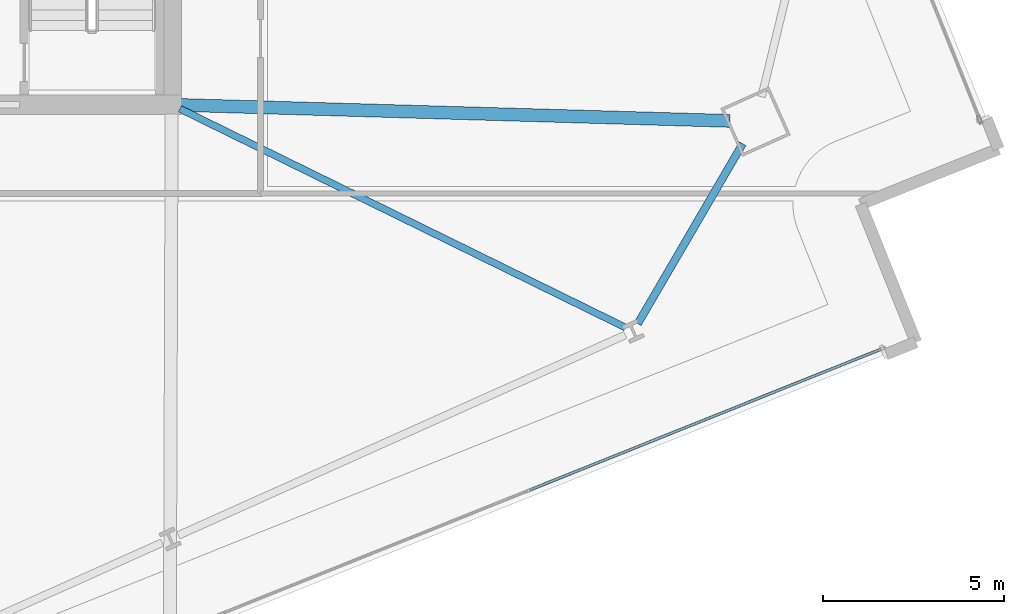
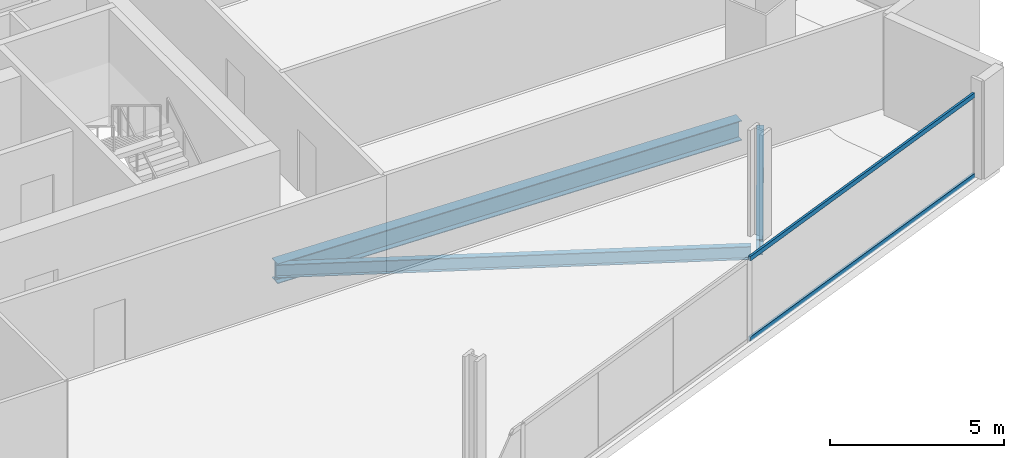
# One storey, part 10 of 33: 3 beams, 2 members, 1 element without a shape of its own.
"""IFC4 building model written with IfcOpenShell, lengths in metres."""

from ifc_helpers import new_model, si_unit, direction, frame, origin, origin_2d, place, context, subcontext, project, spatial, hollow_rectangle, i_section, extrude, material, material_profile, profile_set, type_object, element, aggregate, save


model = new_model("IFC4")

# Units and contexts
model_context = context("Model", 3, precision=1e-05, world=origin(), true_north=direction((0.0, 1.0)))
body_context = subcontext(model_context, "Body", "Model", "MODEL_VIEW")
ifc_project = project(units=[si_unit("LENGTHUNIT", "METRE"), si_unit("AREAUNIT", "SQUARE_METRE"), si_unit("VOLUMEUNIT", "CUBIC_METRE"), si_unit("PLANEANGLEUNIT", "RADIAN"), si_unit("MASSUNIT", "GRAM", prefix="KILO")], contexts=[model_context])

# Site, building, storey
site_placement = place(None, origin())
site = spatial("IfcSite", under=ifc_project, at=site_placement, CompositionType="ELEMENT")
building_placement = place(site_placement, origin())
building = spatial("IfcBuilding", under=site, at=building_placement, Name="Haldenkirk Collegiate Tower", CompositionType="ELEMENT")
storey_placement = place(building_placement, frame((0.0, 0.0, 101.699951171875)))
storey = spatial("IfcBuildingStorey", under=building, at=storey_placement, Name="L24", CompositionType="ELEMENT", Elevation=101.699951171875)

# Beams
ifc_material_1 = material(Name="Steel ASTM A992 Grade 50", Category="steel")
ifc_material_profile_1 = material_profile(ifc_material_1, i_section(OverallWidth=0.35498046875, OverallDepth=0.696044921875, WebThickness=0.015380859375, FlangeThickness=0.02490234375, at=origin_2d()), Name="W27X146")
ifc_profile_set_1 = profile_set([ifc_material_profile_1], Name="Steel ASTM A992 Grade 50")
beam_type_1 = type_object("IfcBeamType", Name="BM-GIRDER-W27X146", PredefinedType="BEAM", material=ifc_profile_set_1)
beam_1_placement = place(storey_placement, frame((60.4072265625, 17.55322265625, -0.64794921875), z_axis=(-0.999579697841, 0.028990130448, 0.0), x_axis=(-0.028990130448, -0.999579697841, 0.0)))
element("IfcBeam", 1, at=beam_1_placement, inside=storey, type_object=beam_type_1, Name="L24 primary floor girder 02", PredefinedType="BEAM", context=body_context, shape_type="SweptSolid", body=[
    extrude(i_section(OverallWidth=0.35498046875, OverallDepth=0.696044921875, WebThickness=0.015380859375, FlangeThickness=0.02490234375, at=origin_2d()), origin(), (0.0, 0.0, 1.0), 15.15869140625),
])
ifc_material_profile_2 = material_profile(ifc_material_1, i_section(OverallWidth=0.19189453125, OverallDepth=0.462890625, WebThickness=0.010498046875, FlangeThickness=0.017578125, at=origin_2d()), Name="W18X60")
ifc_profile_set_2 = profile_set([ifc_material_profile_2], Name="Steel ASTM A992 Grade 50")
beam_type_2 = type_object("IfcBeamType", Name="BM-JOIST-W18X60", PredefinedType="JOIST", material=ifc_profile_set_2)
beam_2_placement = place(storey_placement, frame((57.517822265625, 11.8544921875, -0.531494140625), z_axis=(-0.897652859595, 0.440703237634, 0.0), x_axis=(-0.440703237634, -0.897652859595, 0.0)))
element("IfcBeam", 2, at=beam_2_placement, inside=storey, type_object=beam_type_2, Name="L24 composite floor joist 07", PredefinedType="JOIST", context=body_context, shape_type="SweptSolid", body=[
    extrude(i_section(OverallWidth=0.19189453125, OverallDepth=0.462890625, WebThickness=0.010498046875, FlangeThickness=0.017578125, at=origin_2d()), origin(), (0.0, 0.0, 1.0), 13.68994140625),
])
ifc_material_profile_3 = material_profile(ifc_material_1, i_section(OverallWidth=0.2119140625, OverallDepth=0.5439453125, WebThickness=0.01318359375, FlangeThickness=0.021240234375, at=origin_2d()), Name="W21X83")
ifc_profile_set_3 = profile_set([ifc_material_profile_3], Name="Steel ASTM A992 Grade 50")
beam_type_3 = type_object("IfcBeamType", Name="BM-SPANDREL-W21X83", PredefinedType="SPANDREL", material=ifc_profile_set_3)
beam_3_placement = place(storey_placement, frame((57.86181640625, 11.958251953125, -0.572021484375), z_axis=(0.503667660107, 0.863897498643, 0.0), x_axis=(-0.863897498643, 0.503667660107, 0.0)))
element("IfcBeam", 3, at=beam_3_placement, inside=storey, type_object=beam_type_3, Name="L24 perimeter spandrel beam 04", PredefinedType="SPANDREL", context=body_context, shape_type="SweptSolid", body=[
    extrude(i_section(OverallWidth=0.2119140625, OverallDepth=0.5439453125, WebThickness=0.01318359375, FlangeThickness=0.021240234375, at=origin_2d()), origin(), (0.0, 0.0, 1.0), 5.747802734375),
])

# Curtain wall, members
ifc_material_2 = material(Name="Anodised architectural bronze aluminium", Category="aluminium")
curtain_wall_type = type_object("IfcCurtainWallType", Name="CW-SYS2-CONCAVE", PredefinedType="USERDEFINED", material=ifc_material_2)
curtain_wall_placement = place(storey_placement, origin())
curtain_wall = element("IfcCurtainWall", 4, at=curtain_wall_placement, inside=storey, type_object=curtain_wall_type, Name="L24 South concave recessed bronze-anodised curtain wall", ObjectType="UNITISED CURTAIN WALL", PredefinedType="USERDEFINED")
ifc_material_profile_4 = material_profile(ifc_material_2, hollow_rectangle(XDim=0.074951171875, YDim=0.159912109375, WallThickness=0.0048828125, at=origin_2d()), Name="CW-TRN-02")
ifc_profile_set_4 = profile_set([ifc_material_profile_4], Name="Anodised architectural bronze aluminium")
member_type = type_object("IfcMemberType", Name="CW-TRN-02", PredefinedType="USERDEFINED", material=ifc_profile_set_4)
member_1_placement = place(storey_placement, frame((64.56591796875, 11.252197265625, 0.03759765625), z_axis=(-0.928165026808, -0.37216889044, 0.0), x_axis=(0.37216889044, -0.928165026808, 0.0)))
member_1 = element("IfcMember", 5, at=member_1_placement, type_object=member_type, Name="CW-02 transom 1.1", ObjectType="TRANSOM", PredefinedType="USERDEFINED", context=body_context, shape_type="SweptSolid", body=[
    extrude(hollow_rectangle(XDim=0.074951171875, YDim=0.159912109375, WallThickness=0.0048828125, at=origin_2d()), origin(), (0.0, 0.0, 1.0), 10.4375),
])
member_2_placement = place(storey_placement, frame((64.56591796875, 11.252197265625, 2.863525390625), z_axis=(-0.928165026808, -0.37216889044, 0.0), x_axis=(0.37216889044, -0.928165026808, 0.0)))
member_2 = element("IfcMember", 6, at=member_2_placement, type_object=member_type, Name="CW-02 transom 1.2", ObjectType="TRANSOM", PredefinedType="USERDEFINED", context=body_context, shape_type="SweptSolid", body=[
    extrude(hollow_rectangle(XDim=0.074951171875, YDim=0.159912109375, WallThickness=0.0048828125, at=origin_2d()), origin(), (0.0, 0.0, 1.0), 10.4375),
])
aggregate(curtain_wall, [member_1, member_2])

save(model, "model.ifc")
